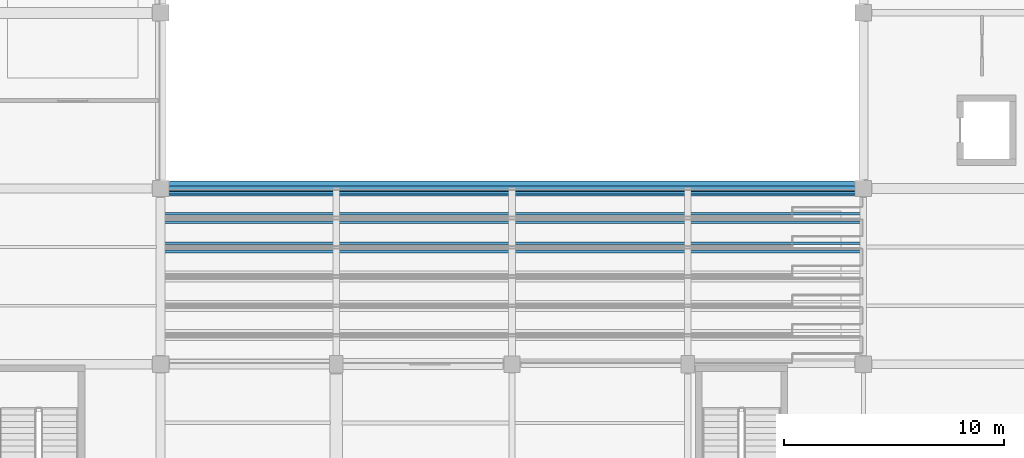
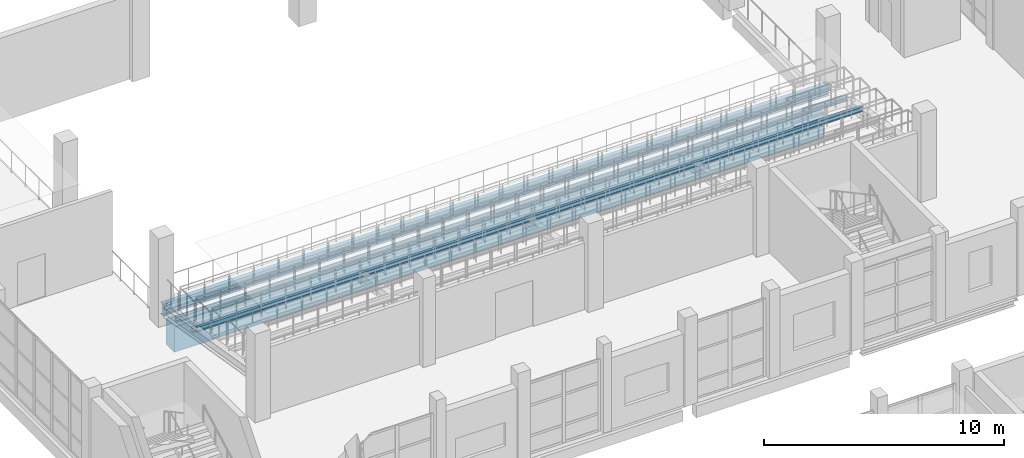
# One storey, part 45 of 183: 7 beams.
"""IFC4 building model written with IfcOpenShell, lengths in metres."""

from ifc_helpers import new_model, si_unit, direction, frame, origin, origin_2d, place, context, subcontext, project, spatial, rectangle, i_section, extrude, material, material_profile, profile_set, type_object, element, save


model = new_model("IFC4")

# Units and contexts
model_context = context("Model", 3, precision=1e-05, world=origin(), true_north=direction((0.0, 1.0)))
body_context = subcontext(model_context, "Body", "Model", "MODEL_VIEW")
ifc_project = project(units=[si_unit("LENGTHUNIT", "METRE"), si_unit("AREAUNIT", "SQUARE_METRE"), si_unit("VOLUMEUNIT", "CUBIC_METRE"), si_unit("PLANEANGLEUNIT", "RADIAN"), si_unit("MASSUNIT", "GRAM", prefix="KILO")], contexts=[model_context])

# Site, building, storey
site_placement = place(None, origin())
site = spatial("IfcSite", under=ifc_project, at=site_placement, CompositionType="ELEMENT")
building_placement = place(site_placement, origin())
building = spatial("IfcBuilding", under=site, at=building_placement, Name="Luwemba Playhouse", CompositionType="ELEMENT")
storey_placement = place(building_placement, frame((0.0, 0.0, 4.800048828125)))
storey = spatial("IfcBuildingStorey", under=building, at=storey_placement, Name="L01", CompositionType="ELEMENT", Elevation=4.800048828125)

# Beams
ifc_material_1 = material(Name="Concrete C40/50", Category="concrete")
ifc_material_profile_1 = material_profile(ifc_material_1, rectangle(XDim=0.699951171875, YDim=1.300048828125, at=origin_2d()))
ifc_profile_set_1 = profile_set([ifc_material_profile_1], Name="Concrete C40/50")
beam_type_1 = type_object("IfcBeamType", Name="BM-RB12", PredefinedType="BEAM", material=ifc_profile_set_1)
beam_1_placement = place(storey_placement, frame((12.39990234375, 52.0, -0.900146484375), z_axis=(1.0, 0.0, 0.0), x_axis=(0.0, 1.0, 0.0)))
element("IfcBeam", 1, at=beam_1_placement, inside=storey, type_object=beam_type_1, Name="L01 grid girder 0352", PredefinedType="BEAM", context=body_context, shape_type="SweptSolid", body=[
    extrude(rectangle(XDim=0.699951171875, YDim=1.300048828125, at=origin_2d()), origin(), (0.0, 0.0, 1.0), 31.2001953125),
])
ifc_material_2 = material(Name="Steel S355", Category="steel")
ifc_material_profile_2 = material_profile(ifc_material_2, i_section(OverallWidth=0.219970703125, OverallDepth=0.60009765625, WebThickness=0.011962890625, FlangeThickness=0.01904296875, FilletRadius=0.02392578125, at=origin_2d()))
ifc_profile_set_2 = profile_set([ifc_material_profile_2], Name="Steel S355")
beam_type_2 = type_object("IfcBeamType", Name="BM-SB08", PredefinedType="BEAM", material=ifc_profile_set_2)
beam_2_placement = place(storey_placement, frame((12.0, 52.0, 0.586669921875), z_axis=(1.0, 0.0, 0.0), x_axis=(0.0, 1.0, 0.0)))
element("IfcBeam", 2, at=beam_2_placement, inside=storey, type_object=beam_type_2, Name="L01 Dress Circle raker front support girder", PredefinedType="BEAM", context=body_context, shape_type="SweptSolid", body=[
    extrude(i_section(OverallWidth=0.219970703125, OverallDepth=0.60009765625, WebThickness=0.011962890625, FlangeThickness=0.01904296875, FilletRadius=0.02392578125, at=origin_2d()), origin(), (0.0, 0.0, 1.0), 32.0),
])
ifc_material_profile_3 = material_profile(ifc_material_2, i_section(OverallWidth=0.1201171875, OverallDepth=0.239990234375, WebThickness=0.006103515625, FlangeThickness=0.009765625, FilletRadius=0.014892578125, at=origin_2d()))
ifc_profile_set_3 = profile_set([ifc_material_profile_3], Name="Steel S355")
beam_type_3 = type_object("IfcBeamType", Name="BM-SJ03", PredefinedType="JOIST", material=ifc_profile_set_3)
for number, where, z_axis, x_axis, name in (
    (3, (12.0, 49.13330078125, 1.304931640625), (1.0, 0.0, 0.0), (0.0, 1.0, 0.0), "Stand Dress Circle step bearer 10-2"),
    (4, (12.0, 49.51318359375, 1.038330078125), (1.0, 0.0, 0.0), (0.0, 1.0, 0.0), "Stand Dress Circle step bearer 11-1"),
    (5, (12.0, 50.466552734375, 1.038330078125), (1.0, 0.0, 0.0), (0.0, 1.0, 0.0), "Stand Dress Circle step bearer 11-2"),
    (6, (12.0, 50.8466796875, 0.771728515625), (1.0, 0.0, 0.0), (0.0, 1.0, 0.0), "Stand Dress Circle step bearer 12-1"),
    (7, (12.0, 51.800048828125, 0.771728515625), (1.0, 0.0, 0.0), (0.0, 1.0, 0.0), "Stand Dress Circle step bearer 12-2"),
):
    element("IfcBeam", number, at=place(storey_placement, frame(where, z_axis=z_axis, x_axis=x_axis)), inside=storey, type_object=beam_type_3, Name=name, PredefinedType="JOIST", context=body_context, shape_type="SweptSolid", body=[
        extrude(i_section(OverallWidth=0.1201171875, OverallDepth=0.239990234375, WebThickness=0.006103515625, FlangeThickness=0.009765625, FilletRadius=0.014892578125, at=origin_2d()), origin(), (0.0, 0.0, 1.0), 32.0),
    ])

save(model, "model.ifc")
